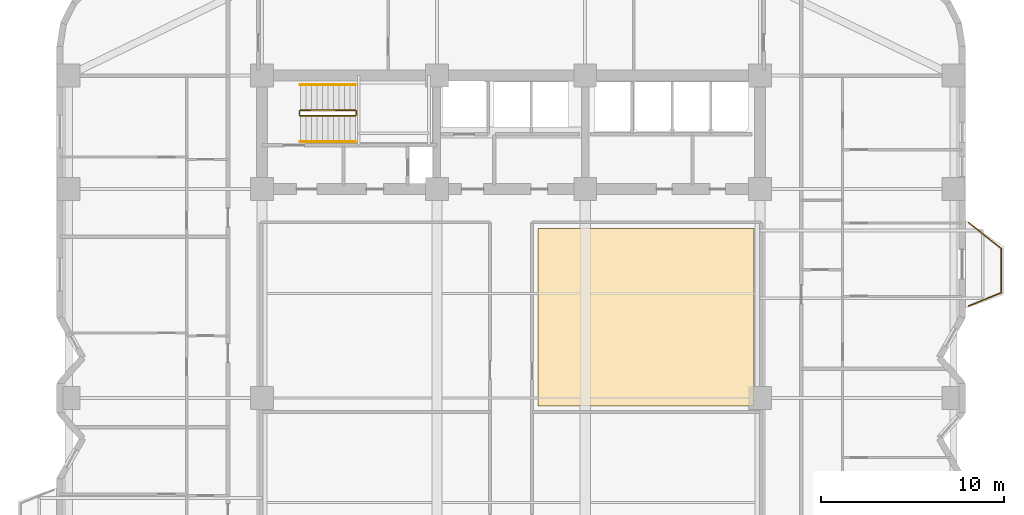
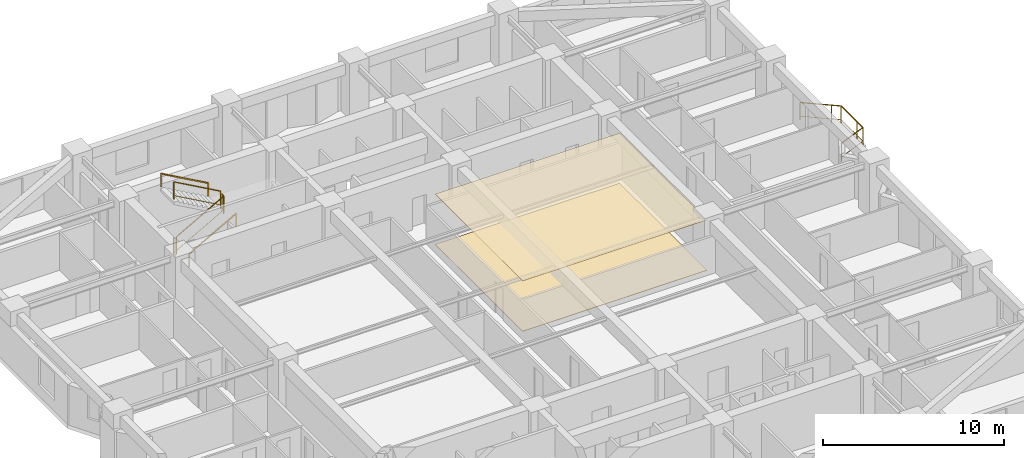
# One storey, part 9 of 9: 7 railings, 2 coverings.
"""IFC4 building model written with IfcOpenShell, lengths in metres."""

from ifc_helpers import new_model, si_unit, direction, frame, origin, origin_2d, place, context, subcontext, project, spatial, polyline, rectangle, outline, extrude, material, layer, layer_set, type_object, element, save


model = new_model("IFC4")

# Units and contexts
model_context = context("Model", 3, precision=1e-05, world=origin(), true_north=direction((0.0, 1.0)))
body_context = subcontext(model_context, "Body", "Model", "MODEL_VIEW")
ifc_project = project(units=[si_unit("LENGTHUNIT", "METRE"), si_unit("AREAUNIT", "SQUARE_METRE"), si_unit("VOLUMEUNIT", "CUBIC_METRE"), si_unit("PLANEANGLEUNIT", "RADIAN"), si_unit("MASSUNIT", "GRAM", prefix="KILO")], contexts=[model_context])

# Site, building, storey
site_placement = place(None, origin())
site = spatial("IfcSite", under=ifc_project, at=site_placement, CompositionType="ELEMENT")
building_placement = place(site_placement, origin())
building = spatial("IfcBuilding", under=site, at=building_placement, Name="Svetorya Sky Lyceum", CompositionType="ELEMENT")
storey_placement = place(building_placement, frame((0.0, 0.0, 47.300048828125)))
storey = spatial("IfcBuildingStorey", under=building, at=storey_placement, Name="L11", CompositionType="ELEMENT", Elevation=47.300048828125)

# Coverings
ifc_material_1 = material(Name="Perforated acoustic gypsum ceiling board")
ifc_layer_1 = layer(ifc_material_1, 0.01806640625)
ifc_layer_set_1 = layer_set([ifc_layer_1], Name="Perforated acoustic gypsum ceiling board")
covering_type_1 = type_object("IfcCoveringType", Name="COV-CLG-GYP", PredefinedType="CEILING", material=ifc_layer_set_1)
covering_1_placement = place(storey_placement, frame((0.0, 0.0, 3.40185546875)))
element("IfcCovering", 1, at=covering_1_placement, inside=storey, type_object=covering_type_1, Name="Residents Tea Lounge L11 Acoustic Ceiling", PredefinedType="CEILING", context=body_context, shape_type="SweptSolid", body=[
    extrude(outline(polyline([(40.669921875, 27.764404296875), (52.449951171875, 27.764404296875), (52.449951171875, 37.449951171875), (40.669921875, 37.449951171875), (40.669921875, 27.764404296875)])), origin(), (0.0, 0.0, 1.0), 0.01806640625),
])
ifc_material_2 = material(Name="Honed Karelian granite terrazzo flooring", Category="masonry")
ifc_layer_2 = layer(ifc_material_2, 0.030029296875)
ifc_layer_set_2 = layer_set([ifc_layer_2], Name="Honed Karelian granite terrazzo flooring")
covering_type_2 = type_object("IfcCoveringType", Name="COV-FLR-TER", PredefinedType="FLOORING", material=ifc_layer_set_2)
covering_2_placement = place(storey_placement, origin())
element("IfcCovering", 2, at=covering_2_placement, inside=storey, type_object=covering_type_2, Name="Residents Tea Lounge L11 Architectural Flooring", PredefinedType="FLOORING", context=body_context, shape_type="SweptSolid", body=[
    extrude(outline(polyline([(40.669921875, 27.764404296875), (52.449951171875, 27.764404296875), (52.449951171875, 37.449951171875), (40.669921875, 37.449951171875), (40.669921875, 27.764404296875)])), origin(), (0.0, 0.0, 1.0), 0.030029296875),
])

# Railings
ifc_material_3 = material(Name="Laminated safety glass and stainless AISI 316", Category="glass")
railing_type_1 = type_object("IfcRailingType", Name="RL-BAL-1200", PredefinedType="BALUSTRADE", material=ifc_material_3)
railing_1_placement = place(storey_placement, frame((64.169921875, 37.780029296875, 0.0)))
element("IfcRailing", 3, at=railing_1_placement, inside=storey, type_object=railing_type_1, Name="L11 Balcony Balustrade BAL-E1", PredefinedType="BALUSTRADE", context=body_context, shape_type="SweptSolid", body=[
    extrude(rectangle(XDim=0.048095703125, YDim=0.048095703125, at=origin_2d()), frame((0.0, 0.0, 1.17578125), z_axis=(0.783008919264, -0.622010476079, 0.0), x_axis=(0.622010476079, 0.783008919264, 0.0)), (0.0, 0.0, 1.0), 2.298828125),
    extrude(rectangle(XDim=0.02392578125, YDim=0.02392578125, at=origin_2d()), frame((0.0, 0.0, 0.25), z_axis=(0.783008919264, -0.622010476079, 0.0), x_axis=(0.622010476079, 0.783008919264, 0.0)), (0.0, 0.0, 1.0), 2.298828125),
    extrude(rectangle(XDim=0.048095703125, YDim=0.048095703125, at=origin_2d()), frame((1.800048828125, -1.429931640625, 1.17578125), z_axis=(0.0, -1.0, 0.0), x_axis=(1.0, 0.0, 0.0)), (0.0, 0.0, 1.0), 2.400146484375),
    extrude(rectangle(XDim=0.02392578125, YDim=0.02392578125, at=origin_2d()), frame((1.800048828125, -1.429931640625, 0.25), z_axis=(0.0, -1.0, 0.0), x_axis=(1.0, 0.0, 0.0)), (0.0, 0.0, 1.0), 2.400146484375),
    extrude(rectangle(XDim=0.048095703125, YDim=0.048095703125, at=origin_2d()), frame((1.800048828125, -3.830078125, 1.17578125), z_axis=(-0.926697865975, -0.375807218129, 0.0), x_axis=(0.375807218129, -0.926697865975, 0.0)), (0.0, 0.0, 1.0), 1.9423828125),
    extrude(rectangle(XDim=0.02392578125, YDim=0.02392578125, at=origin_2d()), frame((1.800048828125, -3.830078125, 0.25), z_axis=(-0.926697865975, -0.375807218129, 0.0), x_axis=(0.375807218129, -0.926697865975, 0.0)), (0.0, 0.0, 1.0), 1.9423828125),
    extrude(rectangle(XDim=0.0419921875, YDim=0.0419921875, at=origin_2d()), origin(), (0.0, 0.0, 1.0), 1.15185546875),
    extrude(rectangle(XDim=0.0419921875, YDim=0.0419921875, at=origin_2d()), frame((1.370361328125, -1.088623046875, 0.0)), (0.0, 0.0, 1.0), 1.15185546875),
    extrude(rectangle(XDim=0.0419921875, YDim=0.0419921875, at=origin_2d()), frame((1.800048828125, -1.429931640625, 0.0)), (0.0, 0.0, 1.0), 1.15185546875),
    extrude(rectangle(XDim=0.0419921875, YDim=0.0419921875, at=origin_2d()), frame((1.800048828125, -3.179931640625, 0.0)), (0.0, 0.0, 1.0), 1.15185546875),
    extrude(rectangle(XDim=0.0419921875, YDim=0.0419921875, at=origin_2d()), frame((1.800048828125, -3.830078125, 0.0)), (0.0, 0.0, 1.0), 1.15185546875),
    extrude(rectangle(XDim=0.0419921875, YDim=0.0419921875, at=origin_2d()), frame((0.0, -4.56005859375, 0.0)), (0.0, 0.0, 1.0), 1.15185546875),
])
ifc_material_4 = material(Name="Painted galvanized stair well guard")
railing_type_2 = type_object("IfcRailingType", Name="RL-STR-GUARD-1200", PredefinedType="GUARDRAIL", material=ifc_material_4)
railing_2_placement = place(storey_placement, frame((27.699951171875, 43.60009765625, 0.168212890625)))
element("IfcRailing", 4, at=railing_2_placement, inside=storey, type_object=railing_type_2, Name="L11 ST-N stair guard 1", PredefinedType="GUARDRAIL", context=body_context, shape_type="SweptSolid", body=[
    extrude(rectangle(XDim=0.048095703125, YDim=0.048095703125, at=origin_2d()), frame((0.0, 0.0, 1.17578125), z_axis=(0.872302573547, 0.0, 0.488966481656), x_axis=(0.0, 1.0, 0.0)), (0.0, 0.0, 1.0), 3.439208984375),
    extrude(rectangle(XDim=0.02392578125, YDim=0.02392578125, at=origin_2d()), frame((0.0, 0.0, 0.25), z_axis=(0.872302573547, 0.0, 0.488966481656), x_axis=(0.0, 1.0, 0.0)), (0.0, 0.0, 1.0), 3.439208984375),
    extrude(rectangle(XDim=0.0419921875, YDim=0.0419921875, at=origin_2d()), origin(), (0.0, 0.0, 1.0), 1.15185546875),
    extrude(rectangle(XDim=0.0419921875, YDim=0.0419921875, at=origin_2d()), frame((3.0, 0.0, 1.681640625)), (0.0, 0.0, 1.0), 1.15185546875),
])
railing_3_placement = place(storey_placement, frame((30.75, 43.64990234375, 1.849853515625)))
element("IfcRailing", 5, at=railing_3_placement, inside=storey, type_object=railing_type_2, Name="L11 ST-N stair guard 2", PredefinedType="GUARDRAIL", context=body_context, shape_type="SweptSolid", body=[
    extrude(rectangle(XDim=0.048095703125, YDim=0.048095703125, at=origin_2d()), frame((0.0, 0.0, 1.17578125), z_axis=(0.0, 1.0, 0.0), x_axis=(-1.0, 0.0, 0.0)), (0.0, 0.0, 1.0), 0.2001953125),
    extrude(rectangle(XDim=0.02392578125, YDim=0.02392578125, at=origin_2d()), frame((0.0, 0.0, 0.25), z_axis=(0.0, 1.0, 0.0), x_axis=(-1.0, 0.0, 0.0)), (0.0, 0.0, 1.0), 0.2001953125),
    extrude(rectangle(XDim=0.0419921875, YDim=0.0419921875, at=origin_2d()), origin(), (0.0, 0.0, 1.0), 1.15185546875),
    extrude(rectangle(XDim=0.0419921875, YDim=0.0419921875, at=origin_2d()), frame((0.0, 0.2001953125, 0.0)), (0.0, 0.0, 1.0), 1.15185546875),
])
railing_4_placement = place(storey_placement, frame((30.699951171875, 43.89990234375, 2.01806640625)))
element("IfcRailing", 6, at=railing_4_placement, inside=storey, type_object=railing_type_2, Name="L11 ST-N stair guard 3", PredefinedType="GUARDRAIL", context=body_context, shape_type="SweptSolid", body=[
    extrude(rectangle(XDim=0.048095703125, YDim=0.048095703125, at=origin_2d()), frame((0.0, 0.0, 1.17578125), z_axis=(-0.872272294576, 0.0, 0.489020494575), x_axis=(0.0, -1.0, 0.0)), (0.0, 0.0, 1.0), 3.439208984375),
    extrude(rectangle(XDim=0.02392578125, YDim=0.02392578125, at=origin_2d()), frame((0.0, 0.0, 0.25), z_axis=(-0.872272294576, 0.0, 0.489020494575), x_axis=(0.0, -1.0, 0.0)), (0.0, 0.0, 1.0), 3.439208984375),
    extrude(rectangle(XDim=0.0419921875, YDim=0.0419921875, at=origin_2d()), origin(), (0.0, 0.0, 1.0), 1.15185546875),
    extrude(rectangle(XDim=0.0419921875, YDim=0.0419921875, at=origin_2d()), frame((-3.0, 0.0, 1.681884765625)), (0.0, 0.0, 1.0), 1.15185546875),
])
railing_5_placement = place(storey_placement, frame((27.64990234375, 43.64990234375, 0.0)))
element("IfcRailing", 7, at=railing_5_placement, inside=storey, type_object=railing_type_2, Name="L11 ST-N stair guard 4", PredefinedType="GUARDRAIL", context=body_context, shape_type="SweptSolid", body=[
    extrude(rectangle(XDim=0.048095703125, YDim=0.048095703125, at=origin_2d()), frame((0.0, 0.0, 1.17578125), z_axis=(0.0, 1.0, 0.0), x_axis=(-1.0, 0.0, 0.0)), (0.0, 0.0, 1.0), 0.2001953125),
    extrude(rectangle(XDim=0.02392578125, YDim=0.02392578125, at=origin_2d()), frame((0.0, 0.0, 0.25), z_axis=(0.0, 1.0, 0.0), x_axis=(-1.0, 0.0, 0.0)), (0.0, 0.0, 1.0), 0.2001953125),
    extrude(rectangle(XDim=0.0419921875, YDim=0.0419921875, at=origin_2d()), origin(), (0.0, 0.0, 1.0), 1.15185546875),
    extrude(rectangle(XDim=0.0419921875, YDim=0.0419921875, at=origin_2d()), frame((0.0, 0.2001953125, 0.0)), (0.0, 0.0, 1.0), 1.15185546875),
])
ifc_material_5 = material(Name="Brushed stainless AISI 304 stair handrail")
railing_type_3 = type_object("IfcRailingType", Name="RL-STR-HAND-920", PredefinedType="HANDRAIL", material=ifc_material_5)
railing_6_placement = place(storey_placement, frame((27.699951171875, 42.199951171875, 0.168212890625)))
element("IfcRailing", 8, at=railing_6_placement, inside=storey, type_object=railing_type_3, Name="L11 ST-N stair handrail 1", PredefinedType="HANDRAIL", context=body_context, shape_type="SweptSolid", body=[
    extrude(rectangle(XDim=0.048095703125, YDim=0.048095703125, at=origin_2d()), frame((0.0, 0.0, 0.8759765625), z_axis=(0.872302573547, 0.0, 0.488966481656), x_axis=(0.0, 1.0, 0.0)), (0.0, 0.0, 1.0), 3.439208984375),
    extrude(rectangle(XDim=0.0419921875, YDim=0.0419921875, at=origin_2d()), origin(), (0.0, 0.0, 1.0), 0.851806640625),
    extrude(rectangle(XDim=0.0419921875, YDim=0.0419921875, at=origin_2d()), frame((3.0, 0.0, 1.681640625)), (0.0, 0.0, 1.0), 0.851806640625),
])
railing_7_placement = place(storey_placement, frame((30.699951171875, 45.300048828125, 2.01806640625)))
element("IfcRailing", 9, at=railing_7_placement, inside=storey, type_object=railing_type_3, Name="L11 ST-N stair handrail 2", PredefinedType="HANDRAIL", context=body_context, shape_type="SweptSolid", body=[
    extrude(rectangle(XDim=0.048095703125, YDim=0.048095703125, at=origin_2d()), frame((0.0, 0.0, 0.8759765625), z_axis=(-0.872272294576, 0.0, 0.489020494575), x_axis=(0.0, -1.0, 0.0)), (0.0, 0.0, 1.0), 3.439208984375),
    extrude(rectangle(XDim=0.0419921875, YDim=0.0419921875, at=origin_2d()), origin(), (0.0, 0.0, 1.0), 0.851806640625),
    extrude(rectangle(XDim=0.0419921875, YDim=0.0419921875, at=origin_2d()), frame((-3.0, 0.0, 1.681884765625)), (0.0, 0.0, 1.0), 0.851806640625),
])

save(model, "model.ifc")
